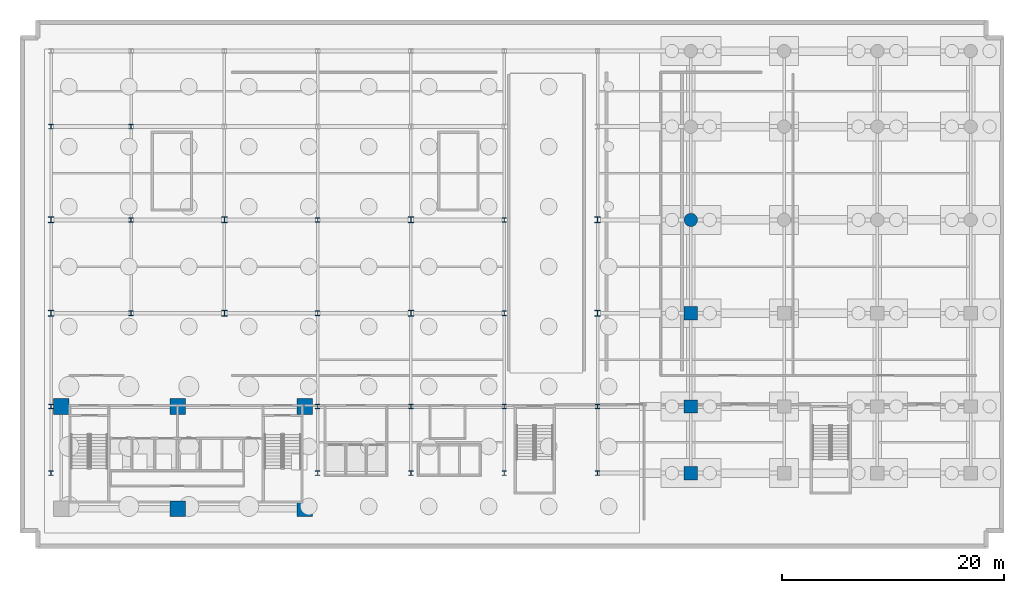
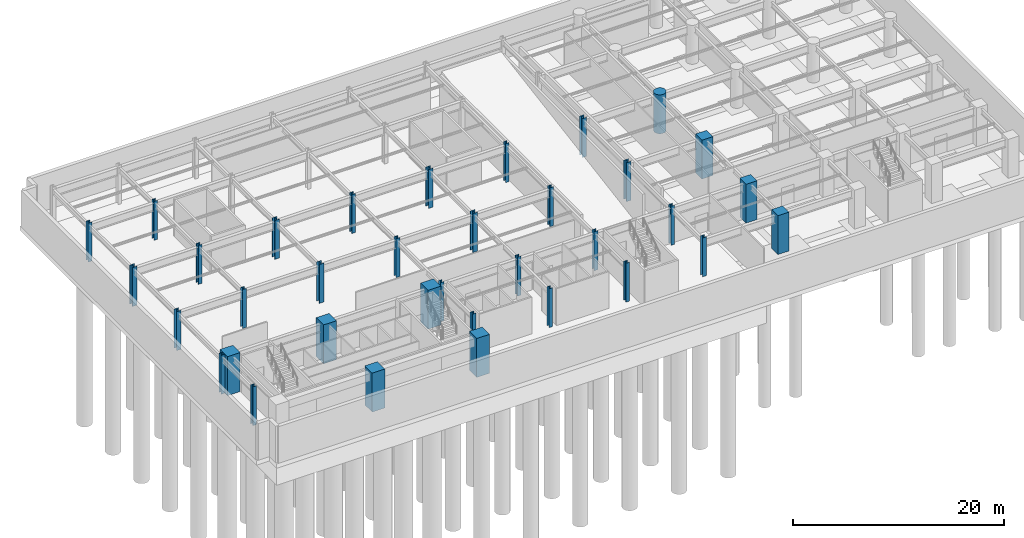
# One storey, part 3 of 14: 35 columns.
"""IFC4 building model written with IfcOpenShell, lengths in metres."""

from ifc_helpers import new_model, si_unit, direction, frame, origin, origin_2d, place, context, subcontext, project, spatial, rectangle, circle, i_section, extrude, material, material_profile, profile_set, type_object, element, save


model = new_model("IFC4")

# Units and contexts
model_context = context("Model", 3, precision=1e-05, world=origin(), true_north=direction((0.0, 1.0)))
body_context = subcontext(model_context, "Body", "Model", "MODEL_VIEW")
ifc_project = project(units=[si_unit("LENGTHUNIT", "METRE"), si_unit("AREAUNIT", "SQUARE_METRE"), si_unit("VOLUMEUNIT", "CUBIC_METRE"), si_unit("PLANEANGLEUNIT", "RADIAN"), si_unit("MASSUNIT", "GRAM", prefix="KILO")], contexts=[model_context])

# Site, building, storey
site_placement = place(None, origin())
site = spatial("IfcSite", under=ifc_project, at=site_placement, CompositionType="ELEMENT")
building_placement = place(site_placement, origin())
building = spatial("IfcBuilding", under=site, at=building_placement, Name="Varnakote Quay Hospital", CompositionType="ELEMENT")
storey_placement = place(building_placement, frame((0.0, 0.0, -9.0)))
storey = spatial("IfcBuildingStorey", under=building, at=storey_placement, Name="B02", CompositionType="ELEMENT", Elevation=-9.0)

# Columns
ifc_material_1 = material(Name="Concrete N80 (f'c 80 MPa)", Category="concrete")
ifc_material_profile_1 = material_profile(ifc_material_1, rectangle(XDim=1.199951171875, YDim=1.199951171875, at=origin_2d()), Name="RC-COL-1200x1200")
ifc_profile_set_1 = profile_set([ifc_material_profile_1], Name="Concrete N80 (f'c 80 MPa)")
column_type_1 = type_object("IfcColumnType", Name="COL-RC-1200", PredefinedType="COLUMN", material=ifc_profile_set_1)
for number, where, z_axis, x_axis, name in (
    (1, (58.800048828125, 6.0, 0.0), (0.0, 0.0, 1.0), (1.0, 0.0, 0.0), "B02 Structural Column C-59-6"),
    (2, (58.800048828125, 12.0, 0.0), (0.0, 0.0, 1.0), (1.0, 0.0, 0.0), "B02 Structural Column C-59-12"),
    (3, (58.800048828125, 20.39990234375, 0.0), (0.0, 0.0, 1.0), (1.0, 0.0, 0.0), "B02 Structural Column C-59-20"),
):
    element("IfcColumn", number, at=place(storey_placement, frame(where, z_axis=z_axis, x_axis=x_axis)), inside=storey, type_object=column_type_1, Name=name, PredefinedType="COLUMN", context=body_context, shape_type="SweptSolid", body=[
        extrude(rectangle(XDim=1.199951171875, YDim=1.199951171875, at=origin_2d()), origin(), (0.0, 0.0, 1.0), 4.5),
    ])
ifc_material_2 = material(Name="Concrete N80 (f'c 80 MPa)", Category="concrete")
ifc_material_profile_2 = material_profile(ifc_material_2, rectangle(XDim=1.39990234375, YDim=1.39990234375, at=origin_2d()), Name="RC-COL-1400x1400")
ifc_profile_set_2 = profile_set([ifc_material_profile_2], Name="Concrete N80 (f'c 80 MPa)")
column_type_2 = type_object("IfcColumnType", Name="COL-RC-1400", PredefinedType="COLUMN", material=ifc_profile_set_2)
for number, where, z_axis, x_axis, name in (
    (4, (12.6201171875, 2.800048828125, 0.0), (0.0, 0.0, 1.0), (1.0, 0.0, 0.0), "B02 Structural Column C-13-3"),
    (5, (24.050048828125, 2.800048828125, 0.0), (0.0, 0.0, 1.0), (1.0, 0.0, 0.0), "B02 Structural Column C-24-3"),
    (6, (2.10009765625, 12.0, 0.0), (0.0, 0.0, 1.0), (1.0, 0.0, 0.0), "B02 Structural Column C-2-12"),
    (7, (12.6201171875, 12.0, 0.0), (0.0, 0.0, 1.0), (1.0, 0.0, 0.0), "B02 Structural Column C-13-12"),
    (8, (24.050048828125, 12.0, 0.0), (0.0, 0.0, 1.0), (1.0, 0.0, 0.0), "B02 Structural Column C-24-12"),
):
    element("IfcColumn", number, at=place(storey_placement, frame(where, z_axis=z_axis, x_axis=x_axis)), inside=storey, type_object=column_type_2, Name=name, PredefinedType="COLUMN", context=body_context, shape_type="SweptSolid", body=[
        extrude(rectangle(XDim=1.39990234375, YDim=1.39990234375, at=origin_2d()), origin(), (0.0, 0.0, 1.0), 4.5),
    ])
ifc_material_3 = material(Name="Concrete N80 (f'c 80 MPa)", Category="concrete")
ifc_material_profile_3 = material_profile(ifc_material_3, circle(Radius=0.60009765625, at=origin_2d()), Name="RC-COL-D1200")
ifc_profile_set_3 = profile_set([ifc_material_profile_3], Name="Concrete N80 (f'c 80 MPa)")
column_type_3 = type_object("IfcColumnType", Name="COL-RC-D1200", PredefinedType="COLUMN", material=ifc_profile_set_3)
column_placement = place(storey_placement, frame((58.800048828125, 28.800048828125, 0.0), z_axis=(0.0, 0.0, 1.0), x_axis=(1.0, 0.0, 0.0)))
element("IfcColumn", 9, at=column_placement, inside=storey, type_object=column_type_3, Name="B02 Structural Column C-59-29", PredefinedType="COLUMN", context=body_context, shape_type="SweptSolid", body=[
    extrude(circle(Radius=0.60009765625, at=origin_2d()), origin(), (0.0, 0.0, 1.0), 4.5),
])
ifc_material_4 = material(Name="Structural steel AS/NZS 3678 Grade 350 (fy 340 MPa)", Category="steel")
ifc_material_profile_4 = material_profile(ifc_material_4, i_section(OverallWidth=0.39990234375, OverallDepth=0.419921875, WebThickness=0.02490234375, FlangeThickness=0.0400390625, at=origin_2d()), Name="400WC328")
ifc_profile_set_4 = profile_set([ifc_material_profile_4], Name="Structural steel AS/NZS 3678 Grade 350 (fy 340 MPa)")
column_type_4 = type_object("IfcColumnType", Name="COL-STL-400WC328", PredefinedType="COLUMN", material=ifc_profile_set_4)
for number, where, z_axis, x_axis, name in (
    (10, (1.199951171875, 6.0, 0.0), (0.0, 0.0, 1.0), (1.0, 0.0, 0.0), "B02 Structural Column C-1-6"),
    (11, (25.199951171875, 6.0, 0.0), (0.0, 0.0, 1.0), (1.0, 0.0, 0.0), "B02 Structural Column C-25-6"),
    (12, (33.60009765625, 6.0, 0.0), (0.0, 0.0, 1.0), (1.0, 0.0, 0.0), "B02 Structural Column C-34-6"),
    (13, (42.0, 6.0, 0.0), (0.0, 0.0, 1.0), (1.0, 0.0, 0.0), "B02 Structural Column C-42-6"),
    (14, (50.39990234375, 6.0, 0.0), (0.0, 0.0, 1.0), (1.0, 0.0, 0.0), "B02 Structural Column C-50-6"),
    (15, (1.199951171875, 12.0, 0.0), (0.0, 0.0, 1.0), (1.0, 0.0, 0.0), "B02 Structural Column C-1-12"),
    (16, (25.199951171875, 12.0, 0.0), (0.0, 0.0, 1.0), (1.0, 0.0, 0.0), "B02 Structural Column C-25-12"),
    (17, (33.60009765625, 12.0, 0.0), (0.0, 0.0, 1.0), (1.0, 0.0, 0.0), "B02 Structural Column C-34-12"),
    (18, (42.0, 12.0, 0.0), (0.0, 0.0, 1.0), (1.0, 0.0, 0.0), "B02 Structural Column C-42-12"),
    (19, (50.39990234375, 12.0, 0.0), (0.0, 0.0, 1.0), (1.0, 0.0, 0.0), "B02 Structural Column C-50-12"),
    (20, (8.39990234375, 20.39990234375, 0.0), (0.0, 0.0, 1.0), (1.0, 0.0, 0.0), "B02 Structural Column C-8-20"),
    (21, (25.199951171875, 20.39990234375, 0.0), (0.0, 0.0, 1.0), (1.0, 0.0, 0.0), "B02 Structural Column C-25-20"),
    (22, (42.0, 20.39990234375, 0.0), (0.0, 0.0, 1.0), (1.0, 0.0, 0.0), "B02 Structural Column C-42-20"),
    (23, (8.39990234375, 28.800048828125, 0.0), (0.0, 0.0, 1.0), (1.0, 0.0, 0.0), "B02 Structural Column C-8-29"),
    (24, (25.199951171875, 28.800048828125, 0.0), (0.0, 0.0, 1.0), (1.0, 0.0, 0.0), "B02 Structural Column C-25-29"),
    (25, (42.0, 28.800048828125, 0.0), (0.0, 0.0, 1.0), (1.0, 0.0, 0.0), "B02 Structural Column C-42-29"),
    (26, (1.199951171875, 37.199951171875, 0.0), (0.0, 0.0, 1.0), (1.0, 0.0, 0.0), "B02 Structural Column C-1-37"),
    (27, (8.39990234375, 37.199951171875, 0.0), (0.0, 0.0, 1.0), (1.0, 0.0, 0.0), "B02 Structural Column C-8-37"),
):
    element("IfcColumn", number, at=place(storey_placement, frame(where, z_axis=z_axis, x_axis=x_axis)), inside=storey, type_object=column_type_4, Name=name, PredefinedType="COLUMN", context=body_context, shape_type="SweptSolid", body=[
        extrude(i_section(OverallWidth=0.39990234375, OverallDepth=0.419921875, WebThickness=0.02490234375, FlangeThickness=0.0400390625, at=origin_2d()), origin(), (0.0, 0.0, 1.0), 4.5),
    ])
ifc_material_5 = material(Name="Structural steel AS/NZS 3678 Grade 350 (fy 340 MPa)", Category="steel")
ifc_material_profile_5 = material_profile(ifc_material_5, i_section(OverallWidth=0.5, OverallDepth=0.530029296875, WebThickness=0.028076171875, FlangeThickness=0.044921875, at=origin_2d()), Name="500WC440")
ifc_profile_set_5 = profile_set([ifc_material_profile_5], Name="Structural steel AS/NZS 3678 Grade 350 (fy 340 MPa)")
column_type_5 = type_object("IfcColumnType", Name="COL-STL-500WC440", PredefinedType="COLUMN", material=ifc_profile_set_5)
for number, where, z_axis, x_axis, name in (
    (28, (1.199951171875, 20.39990234375, 0.0), (0.0, 0.0, 1.0), (1.0, 0.0, 0.0), "B02 Structural Column C-1-20"),
    (29, (16.800048828125, 20.39990234375, 0.0), (0.0, 0.0, 1.0), (1.0, 0.0, 0.0), "B02 Structural Column C-17-20"),
    (30, (33.60009765625, 20.39990234375, 0.0), (0.0, 0.0, 1.0), (1.0, 0.0, 0.0), "B02 Structural Column C-34-20"),
    (31, (50.39990234375, 20.39990234375, 0.0), (0.0, 0.0, 1.0), (1.0, 0.0, 0.0), "B02 Structural Column C-50-20"),
    (32, (1.199951171875, 28.800048828125, 0.0), (0.0, 0.0, 1.0), (1.0, 0.0, 0.0), "B02 Structural Column C-1-29"),
    (33, (16.800048828125, 28.800048828125, 0.0), (0.0, 0.0, 1.0), (1.0, 0.0, 0.0), "B02 Structural Column C-17-29"),
    (34, (33.60009765625, 28.800048828125, 0.0), (0.0, 0.0, 1.0), (1.0, 0.0, 0.0), "B02 Structural Column C-34-29"),
    (35, (50.39990234375, 28.800048828125, 0.0), (0.0, 0.0, 1.0), (1.0, 0.0, 0.0), "B02 Structural Column C-50-29"),
):
    element("IfcColumn", number, at=place(storey_placement, frame(where, z_axis=z_axis, x_axis=x_axis)), inside=storey, type_object=column_type_5, Name=name, PredefinedType="COLUMN", context=body_context, shape_type="SweptSolid", body=[
        extrude(i_section(OverallWidth=0.5, OverallDepth=0.530029296875, WebThickness=0.028076171875, FlangeThickness=0.044921875, at=origin_2d()), origin(), (0.0, 0.0, 1.0), 4.5),
    ])

save(model, "model.ifc")
